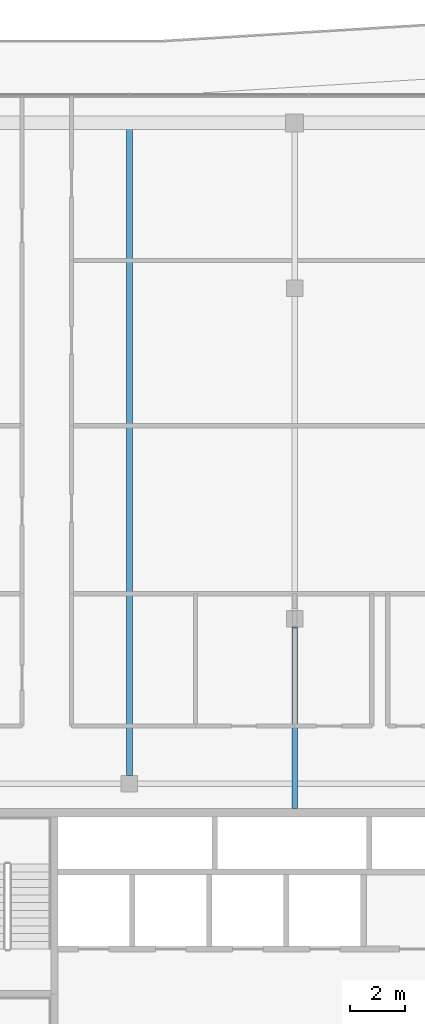
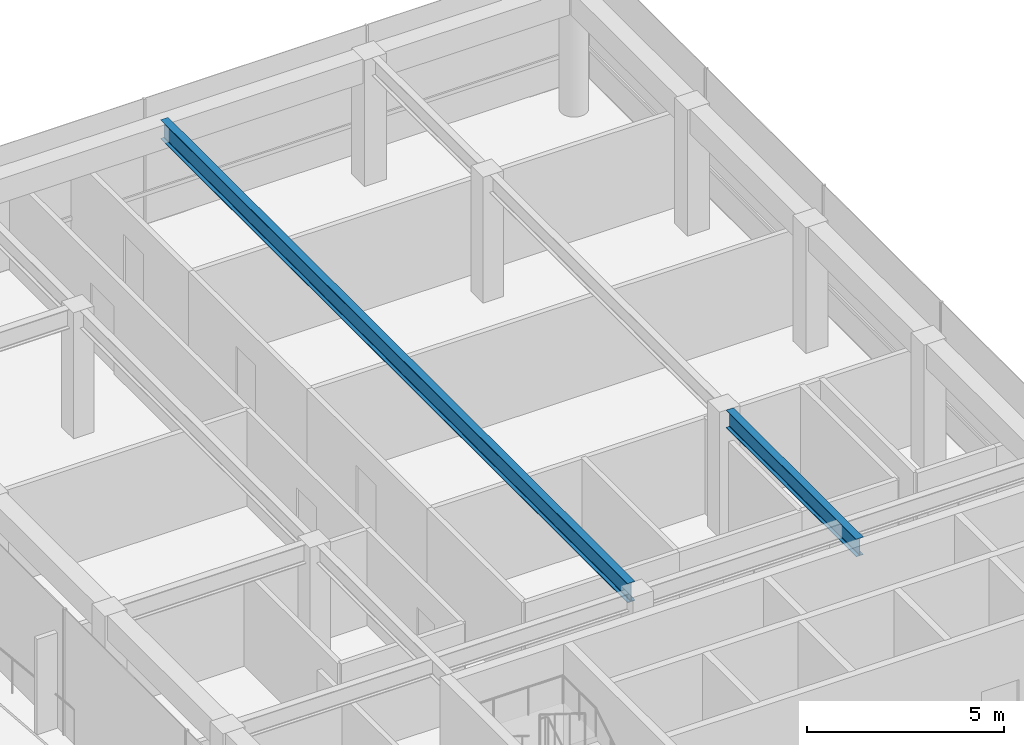
# One storey, part 9 of 22: 2 beams.
"""IFC4 building model written with IfcOpenShell, lengths in metres."""

from ifc_helpers import new_model, si_unit, direction, frame, origin, origin_2d, place, context, subcontext, project, spatial, i_section, extrude, material, material_profile, profile_set, type_object, element, save


model = new_model("IFC4")

# Units and contexts
model_context = context("Model", 3, precision=1e-05, world=origin(), true_north=direction((0.0, 1.0)))
body_context = subcontext(model_context, "Body", "Model", "MODEL_VIEW")
ifc_project = project(units=[si_unit("LENGTHUNIT", "METRE"), si_unit("AREAUNIT", "SQUARE_METRE"), si_unit("VOLUMEUNIT", "CUBIC_METRE"), si_unit("PLANEANGLEUNIT", "RADIAN"), si_unit("MASSUNIT", "GRAM", prefix="KILO")], contexts=[model_context])

# Site, building, storey
site_placement = place(None, origin())
site = spatial("IfcSite", under=ifc_project, at=site_placement, CompositionType="ELEMENT")
building_placement = place(site_placement, origin())
building = spatial("IfcBuilding", under=site, at=building_placement, Name="Welwitschia Terrace Campus", CompositionType="ELEMENT")
storey_placement = place(building_placement, frame((0.0, 0.0, 318.800048828125)))
storey = spatial("IfcBuildingStorey", under=building, at=storey_placement, Name="L71", CompositionType="ELEMENT", Elevation=318.800048828125)

# Beams
ifc_material_1 = material(Name="Steel S355", Category="steel")
ifc_material_profile_1 = material_profile(ifc_material_1, i_section(OverallWidth=0.2099609375, OverallDepth=0.550048828125, WebThickness=0.010986328125, FlangeThickness=0.01708984375, FilletRadius=0.02392578125, at=origin_2d()))
ifc_profile_set_1 = profile_set([ifc_material_profile_1], Name="Steel S355")
beam_type_1 = type_object("IfcBeamType", Name="Interior girder IPE 550", PredefinedType="BEAM", material=ifc_profile_set_1)
beam_1_placement = place(storey_placement, frame((18.0, 25.10107421875, 3.625), z_axis=(0.0, 1.0, 0.0), x_axis=(-1.0, 0.0, 0.0)))
element("IfcBeam", 1, at=beam_1_placement, inside=storey, type_object=beam_type_1, Name="Girder GB7", PredefinedType="BEAM", context=body_context, shape_type="SweptSolid", body=[
    extrude(i_section(OverallWidth=0.2099609375, OverallDepth=0.550048828125, WebThickness=0.010986328125, FlangeThickness=0.01708984375, FilletRadius=0.02392578125, at=origin_2d()), origin(), (0.0, 0.0, 1.0), 6.598388671875),
])
ifc_material_2 = material(Name="Steel S355", Category="steel")
ifc_material_profile_2 = material_profile(ifc_material_2, i_section(OverallWidth=0.219970703125, OverallDepth=0.60009765625, WebThickness=0.011962890625, FlangeThickness=0.01904296875, FilletRadius=0.02392578125, at=origin_2d()))
ifc_profile_set_2 = profile_set([ifc_material_profile_2], Name="Steel S355")
beam_type_2 = type_object("IfcBeamType", Name="Primary beam IPE 600", PredefinedType="BEAM", material=ifc_profile_set_2)
beam_2_placement = place(storey_placement, frame((12.0, 50.0, 3.599853515625), z_axis=(0.0, -1.0, 0.0), x_axis=(1.0, 0.0, 0.0)))
element("IfcBeam", 2, at=beam_2_placement, inside=storey, type_object=beam_type_2, Name="Primary beam PB7", PredefinedType="BEAM", context=body_context, shape_type="SweptSolid", body=[
    extrude(i_section(OverallWidth=0.219970703125, OverallDepth=0.60009765625, WebThickness=0.011962890625, FlangeThickness=0.01904296875, FilletRadius=0.02392578125, at=origin_2d()), origin(), (0.0, 0.0, 1.0), 23.699462890625),
])

save(model, "model.ifc")
